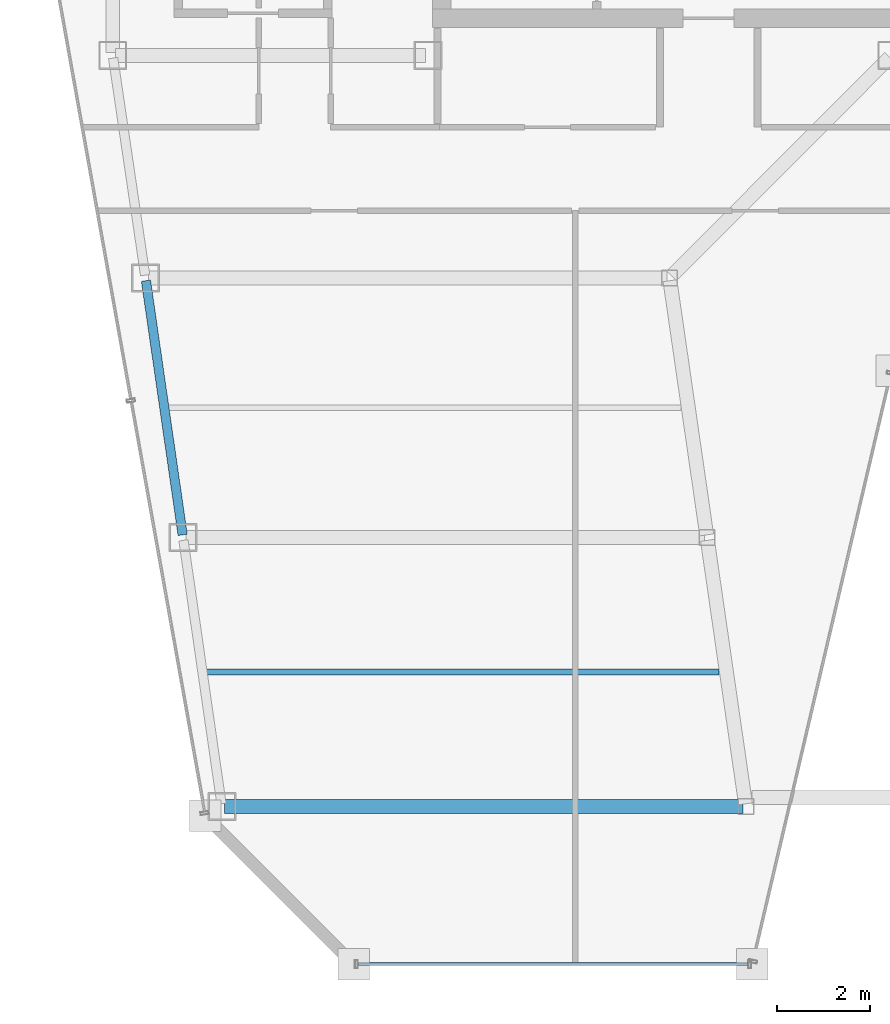
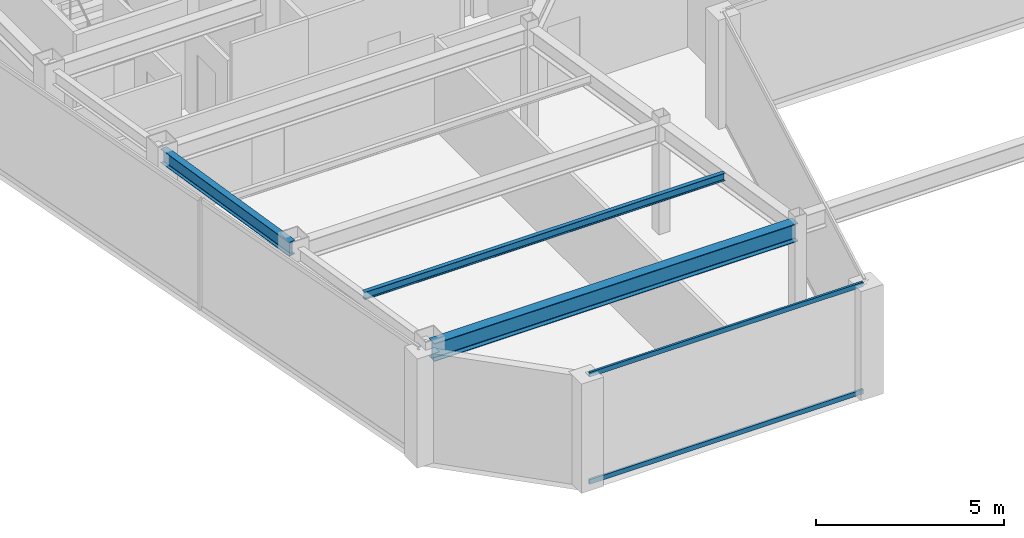
# One storey, part 4 of 32: 3 beams, 2 members, 1 element without a shape of its own.
"""IFC4 building model written with IfcOpenShell, lengths in metres."""

import ifcopenshell
import ifcopenshell.guid

model = None  # the IFC model being written
_history = None  # IfcOwnerHistory: only IFC2X3 demands one
_inside = {}  # id of a spatial element -> (the spatial element, [elements in it])
_under = {}  # id of a project, library or spatial element -> (it, [spatial elements below it])
_declared = {}  # id of a project -> (the project, [libraries it declares])
_typed = {}  # id of a type object -> (the type object, [elements of that type])
_made_of = {}  # id of a material, layer set ... -> (it, [elements and type objects made of it])


def new_model(schema):
    """Start an empty IFC model of exactly this schema.

    Asked for "IFC4X3", IfcOpenShell would pick the latest addendum, in which some entities
    have other attributes; the version numbers below select the first issue.
    IFC2X3 requires an IfcOwnerHistory on every rooted entity: one is made here for all.
    """
    global model, _history
    if schema == "IFC4X3":
        model = ifcopenshell.file(schema_version=(4, 3, 0, 0))
    else:
        model = ifcopenshell.file(schema=schema)
    _inside.clear()
    _under.clear()
    _declared.clear()
    _typed.clear()
    _made_of.clear()
    _history = None
    if model.schema == "IFC2X3":
        org = make("IfcOrganization", Name="unknown")
        user = make(
            "IfcPersonAndOrganization",
            ThePerson=make("IfcPerson", FamilyName="unknown"),
            TheOrganization=org,
        )
        app = make(
            "IfcApplication",
            ApplicationDeveloper=org,
            Version="unknown",
            ApplicationFullName="unknown",
            ApplicationIdentifier="unknown",
        )
        _history = make(
            "IfcOwnerHistory",
            OwningUser=user,
            OwningApplication=app,
            ChangeAction="ADDED",
            CreationDate=0,
        )
    return model


def make(cls, **values):
    """One entity of the class cls with the attributes given. An attribute that is None is left unset."""
    return model.create_entity(
        cls, **{name: value for name, value in values.items() if value is not None}
    )


def rooted(cls, **values):
    """An entity with a GlobalId (a new one), such as an element, a storey or a relation."""
    return make(cls, GlobalId=ifcopenshell.guid.new(), OwnerHistory=_history, **values)


def si_unit(unit_type, name, prefix=None):
    """IfcSIUnit, for example si_unit("LENGTHUNIT", "METRE", prefix="MILLI")."""
    return make("IfcSIUnit", UnitType=unit_type, Prefix=prefix, Name=name)


def assignment(units):
    """IfcUnitAssignment: the units of a project."""
    return None if units is None else make("IfcUnitAssignment", Units=units)


def point(xyz):
    """IfcCartesianPoint."""
    return None if xyz is None else make("IfcCartesianPoint", Coordinates=xyz)


def direction(xyz):
    """IfcDirection."""
    return None if xyz is None else make("IfcDirection", DirectionRatios=xyz)


def frame(location, z_axis=None, x_axis=None):
    """IfcAxis2Placement3D, a coordinate frame: its origin and axes. An axis left out is left unset."""
    return make(
        "IfcAxis2Placement3D",
        Location=point(location),
        Axis=direction(z_axis),
        RefDirection=direction(x_axis),
    )


def frame_2d(location, x_axis=None):
    """IfcAxis2Placement2D, a coordinate frame in the plane: its origin and x axis."""
    return make(
        "IfcAxis2Placement2D", Location=point(location), RefDirection=direction(x_axis)
    )


def origin():
    """The frame at (0, 0, 0) with its axes left unset."""
    return frame((0.0, 0.0, 0.0))


def origin_2d():
    """The frame at (0, 0) in the plane with its x axis left unset."""
    return frame_2d((0.0, 0.0))


def place(relative_to, where):
    """IfcLocalPlacement: puts the frame where relative to a parent placement (None: the world)."""
    return make(
        "IfcLocalPlacement", PlacementRelTo=relative_to, RelativePlacement=where
    )


def context(
    kind, dimensions, precision=None, world=None, true_north=None, identifier=None
):
    """IfcGeometricRepresentationContext, for example the 3D "Model" context."""
    return make(
        "IfcGeometricRepresentationContext",
        ContextIdentifier=identifier,
        ContextType=kind,
        CoordinateSpaceDimension=dimensions,
        Precision=precision,
        WorldCoordinateSystem=world,
        TrueNorth=true_north,
    )


def subcontext(parent, identifier, kind, view, scale=None):
    """IfcGeometricRepresentationSubContext, for example "Body" below "Model"."""
    return make(
        "IfcGeometricRepresentationSubContext",
        ContextIdentifier=identifier,
        ContextType=kind,
        ParentContext=parent,
        TargetScale=scale,
        TargetView=view,
    )


def project(units=None, contexts=None):
    """IfcProject with its units and contexts."""
    return rooted(
        "IfcProject",
        Name="project",
        RepresentationContexts=contexts,
        UnitsInContext=assignment(units),
    )


def spatial(cls, under=None, at=None, **own):
    """A site, building, storey or space (cls), placed at a placement, below another one or the project."""
    s = rooted(cls, ObjectPlacement=at, **own)
    if under is not None:
        _under.setdefault(under.id(), (under, []))[1].append(s)
    return s


def profile(cls, at=None, kind="AREA", **sizes):
    """A parametric profile (cls). Its sizes go by their IFC names, for example OverallWidth=200.0."""
    return make(cls, ProfileType=kind, Position=at, **sizes)


def hollow_rectangle(**sizes):
    """IfcRectangleHollowProfileDef."""
    return profile("IfcRectangleHollowProfileDef", **sizes)


def i_section(**sizes):
    """IfcIShapeProfileDef."""
    return profile("IfcIShapeProfileDef", **sizes)


def extrude(swept, where, along, depth):
    """IfcExtrudedAreaSolid: the profile swept, set in the frame where, extruded along a direction by depth."""
    return make(
        "IfcExtrudedAreaSolid",
        SweptArea=swept,
        Position=where,
        ExtrudedDirection=direction(along),
        Depth=depth,
    )


def shape(context_of_items, identifier, shape_type, items):
    """IfcShapeRepresentation: the items that make up one representation, for example the "Body"."""
    return make(
        "IfcShapeRepresentation",
        ContextOfItems=context_of_items,
        RepresentationIdentifier=identifier,
        RepresentationType=shape_type,
        Items=items,
    )


def material(Name=None, Category=None):
    """IfcMaterial."""
    return make("IfcMaterial", Name=Name, Category=Category)


def material_profile(
    of_material, cross_section, Name=None, Category=None, Priority=None
):
    """IfcMaterialProfile: a cross section and its material."""
    return make(
        "IfcMaterialProfile",
        Name=Name,
        Material=of_material,
        Profile=cross_section,
        Priority=Priority,
        Category=Category,
    )


def profile_set(profiles, Name=None, composite=None):
    """IfcMaterialProfileSet."""
    return make(
        "IfcMaterialProfileSet",
        Name=Name,
        MaterialProfiles=profiles,
        CompositeProfile=composite,
    )


def made_of(thing, what):
    """Note that an element or type object is made of a material, layer set ...; save() writes the relation."""
    if what is not None:
        _made_of.setdefault(what.id(), (what, []))[1].append(thing)
    return thing


def type_object(cls, material=None, **own):
    """A type object (cls), such as IfcWallType, which elements share."""
    return made_of(rooted(cls, **own), material)


def element(
    cls,
    number,
    at=None,
    inside=None,
    cuts=None,
    type_object=None,
    material=None,
    context=None,
    identifier="Body",
    shape_type=None,
    held_by="IfcProductDefinitionShape",
    body=None,
    shapes=None,
    **own,
):
    """One element of the class cls, such as IfcWall. Its Tag is "e" and its number.

    at: its placement. inside: the storey or other place that contains it. cuts: it is an
    opening in that element (IfcRelVoidsElement). A single representation is given by context,
    identifier, shape_type and body (its items); several are given by shapes. held_by: the class
    of the entity that holds the representations. save() writes the other relations.
    """
    e = rooted(cls, Tag="e%d" % number, ObjectPlacement=at, **own)
    if body is not None:
        shapes = [shape(context, identifier, shape_type, body)]
    if shapes is not None:
        e.Representation = make(held_by, Representations=shapes)
    if inside is not None:
        _inside.setdefault(inside.id(), (inside, []))[1].append(e)
    if cuts is not None:
        rooted(
            "IfcRelVoidsElement", RelatingBuildingElement=cuts, RelatedOpeningElement=e
        )
    if type_object is not None:
        _typed.setdefault(type_object.id(), (type_object, []))[1].append(e)
    return made_of(e, material)


def aggregate(whole, parts):
    """IfcRelAggregates: a whole, such as a stair, and the parts it consists of."""
    return rooted("IfcRelAggregates", RelatingObject=whole, RelatedObjects=parts)


def save(model, path):
    """Write the relations noted so far, then the file.

    IfcRelAggregates (storeys below a building ...), IfcRelContainedInSpatialStructure (elements
    in a storey), IfcRelDefinesByType, IfcRelAssociatesMaterial and IfcRelDeclares: one each for
    every whole, place, type object, material and project.
    """
    for whole, parts in _under.values():
        aggregate(whole, parts)
    for where, things in _inside.values():
        rooted(
            "IfcRelContainedInSpatialStructure",
            RelatedElements=things,
            RelatingStructure=where,
        )
    for kind, things in _typed.values():
        rooted("IfcRelDefinesByType", RelatedObjects=things, RelatingType=kind)
    for what, things in _made_of.values():
        rooted("IfcRelAssociatesMaterial", RelatedObjects=things, RelatingMaterial=what)
    for by, libraries in _declared.values():
        rooted("IfcRelDeclares", RelatingContext=by, RelatedDefinitions=libraries)
    model.write(path)


model = new_model("IFC4")

# Units and contexts
model_context = context("Model", 3, precision=1e-05, world=origin(), true_north=direction((0.0, 1.0)))
body_context = subcontext(model_context, "Body", "Model", "MODEL_VIEW")
ifc_project = project(units=[si_unit("LENGTHUNIT", "METRE"), si_unit("AREAUNIT", "SQUARE_METRE"), si_unit("VOLUMEUNIT", "CUBIC_METRE"), si_unit("PLANEANGLEUNIT", "RADIAN"), si_unit("MASSUNIT", "GRAM", prefix="KILO")], contexts=[model_context])

# Site, building, storey
site_placement = place(None, origin())
site = spatial("IfcSite", under=ifc_project, at=site_placement, CompositionType="ELEMENT")
building_placement = place(site_placement, origin())
building = spatial("IfcBuilding", under=site, at=building_placement, Name="Saevonmaru Cultural Tower", CompositionType="ELEMENT")
storey_placement = place(building_placement, frame((0.0, 0.0, 261.0)))
storey = spatial("IfcBuildingStorey", under=building, at=storey_placement, Name="L61", CompositionType="ELEMENT", Elevation=261.0)

# Beams
ifc_material_1 = material(Name="Steel SM355", Category="steel")
ifc_material_profile_1 = material_profile(ifc_material_1, i_section(OverallWidth=0.300048828125, OverallDepth=0.587890625, WebThickness=0.011962890625, FlangeThickness=0.02001953125, FilletRadius=0.02392578125, at=origin_2d()), Name="H-588x300x12x20")
ifc_profile_set_1 = profile_set([ifc_material_profile_1], Name="Steel SM355")
beam_type_1 = type_object("IfcBeamType", Name="BM-G-H588", PredefinedType="BEAM", material=ifc_profile_set_1)
beam_1_placement = place(storey_placement, frame((9.214111328125, 26.199951171875, 3.256103515625), z_axis=(1.0, 0.0, 0.0), x_axis=(0.0, 1.0, 0.0)))
element("IfcBeam", 1, at=beam_1_placement, inside=storey, type_object=beam_type_1, Name="L61 West Wing Transverse Girder 1", PredefinedType="BEAM", context=body_context, shape_type="SweptSolid", body=[
    extrude(i_section(OverallWidth=0.300048828125, OverallDepth=0.587890625, WebThickness=0.011962890625, FlangeThickness=0.02001953125, FilletRadius=0.02392578125, at=origin_2d()), origin(), (0.0, 0.0, 1.0), 11.179931640625),
])
ifc_material_profile_2 = material_profile(ifc_material_1, i_section(OverallWidth=0.125, OverallDepth=0.25, WebThickness=0.006103515625, FlangeThickness=0.009033203125, FilletRadius=0.008056640625, at=origin_2d()), Name="H-250x125x6x9")
ifc_profile_set_2 = profile_set([ifc_material_profile_2], Name="Steel SM355")
beam_type_2 = type_object("IfcBeamType", Name="BM-J-H250", PredefinedType="JOIST", material=ifc_profile_set_2)
beam_2_placement = place(storey_placement, frame((8.79541015625, 29.10009765625, 3.425048828125), z_axis=(1.0, 0.0, 0.0), x_axis=(0.0, 1.0, 0.0)))
element("IfcBeam", 2, at=beam_2_placement, inside=storey, type_object=beam_type_2, Name="L61 West Wing Floor Joist 1", PredefinedType="JOIST", context=body_context, shape_type="SweptSolid", body=[
    extrude(i_section(OverallWidth=0.125, OverallDepth=0.25, WebThickness=0.006103515625, FlangeThickness=0.009033203125, FilletRadius=0.008056640625, at=origin_2d()), origin(), (0.0, 0.0, 1.0), 11.08203125),
])
ifc_material_profile_3 = material_profile(ifc_material_1, i_section(OverallWidth=0.199951171875, OverallDepth=0.449951171875, WebThickness=0.009033203125, FlangeThickness=0.013916015625, FilletRadius=0.01806640625, at=origin_2d()), Name="H-450x200x9x14")
ifc_profile_set_3 = profile_set([ifc_material_profile_3], Name="Steel SM355")
beam_type_3 = type_object("IfcBeamType", Name="BM-SP-H450", PredefinedType="SPANDREL", material=ifc_profile_set_3)
beam_3_placement = place(storey_placement, frame((8.308349609375, 32.059326171875, 3.324951171875), z_axis=(-0.142964121327, 0.989727871697, 0.0), x_axis=(-0.989727871697, -0.142964121327, 0.0)))
element("IfcBeam", 3, at=beam_3_placement, inside=storey, type_object=beam_type_3, Name="L61 West Splayed Spandrel 2", PredefinedType="SPANDREL", context=body_context, shape_type="SweptSolid", body=[
    extrude(i_section(OverallWidth=0.199951171875, OverallDepth=0.449951171875, WebThickness=0.009033203125, FlangeThickness=0.013916015625, FilletRadius=0.01806640625, at=origin_2d()), origin(), (0.0, 0.0, 1.0), 5.5380859375),
])

# Curtain wall, members
ifc_material_2 = material(Name="Satin Bronze Anodised Aluminium", Category="aluminium")
curtain_wall_type = type_object("IfcCurtainWallType", Name="CW-TYP-B", PredefinedType="NOTDEFINED", material=ifc_material_2)
curtain_wall_placement = place(storey_placement, origin())
curtain_wall = element("IfcCurtainWall", 4, at=curtain_wall_placement, inside=storey, type_object=curtain_wall_type, Name="L61 Unitised Curtain Wall E2", PredefinedType="NOTDEFINED")
ifc_material_profile_4 = material_profile(ifc_material_2, hollow_rectangle(XDim=0.06494140625, YDim=0.14990234375, WallThickness=0.00390625, at=origin_2d()), Name="ALU-TRAN-150x65x4")
ifc_profile_set_4 = profile_set([ifc_material_profile_4], Name="Satin Bronze Anodised Aluminium")
member_type = type_object("IfcMemberType", Name="TR-CW-150x65", PredefinedType="USERDEFINED", material=ifc_profile_set_4)
member_1_placement = place(storey_placement, frame((12.088134765625, 22.800048828125, 0.032470703125), z_axis=(1.0, 0.0, 0.0), x_axis=(0.0, 1.0, 0.0)))
member_1 = element("IfcMember", 5, at=member_1_placement, type_object=member_type, Name="CW-TW-L61-E2 transom 1.1", ObjectType="TRANSOM", PredefinedType="USERDEFINED", context=body_context, shape_type="SweptSolid", body=[
    extrude(hollow_rectangle(XDim=0.06494140625, YDim=0.14990234375, WallThickness=0.00390625, at=origin_2d()), origin(), (0.0, 0.0, 1.0), 8.4150390625),
])
member_2_placement = place(storey_placement, frame((12.088134765625, 22.800048828125, 3.517578125), z_axis=(1.0, 0.0, 0.0), x_axis=(0.0, 1.0, 0.0)))
member_2 = element("IfcMember", 6, at=member_2_placement, type_object=member_type, Name="CW-TW-L61-E2 transom 1.2", ObjectType="TRANSOM", PredefinedType="USERDEFINED", context=body_context, shape_type="SweptSolid", body=[
    extrude(hollow_rectangle(XDim=0.06494140625, YDim=0.14990234375, WallThickness=0.00390625, at=origin_2d()), origin(), (0.0, 0.0, 1.0), 8.4150390625),
])
aggregate(curtain_wall, [member_1, member_2])

save(model, "model.ifc")
